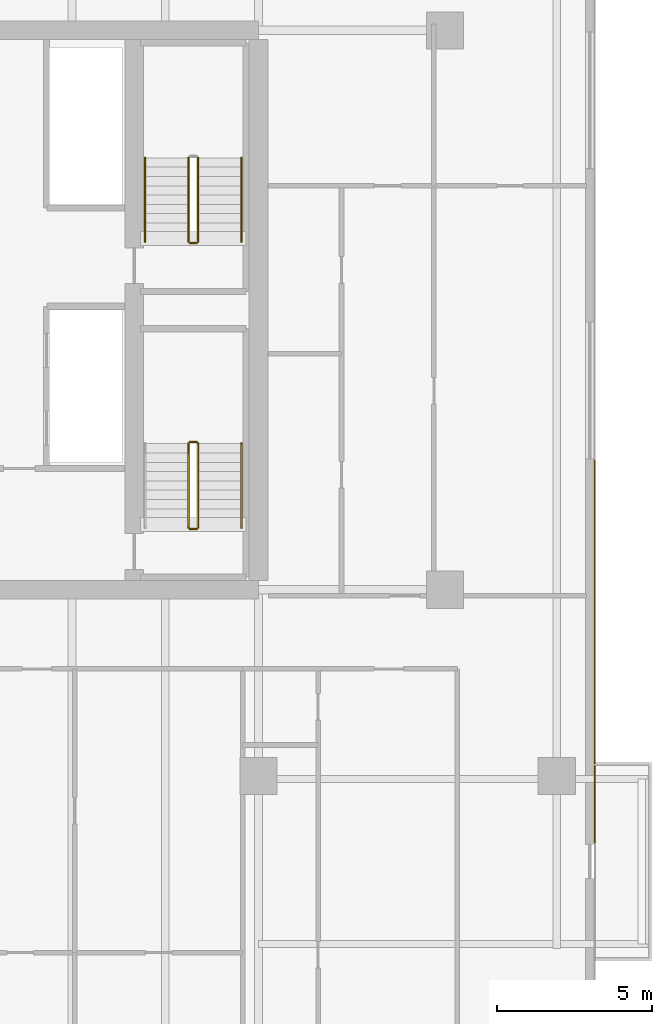
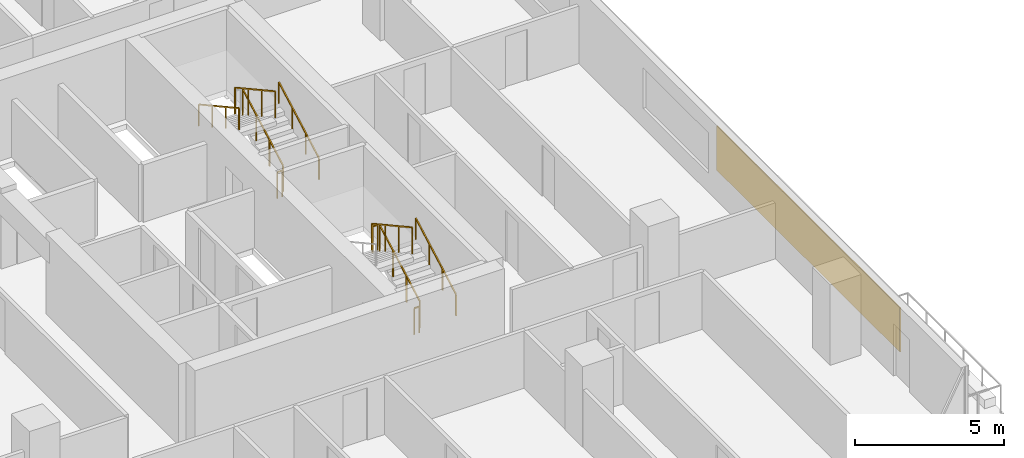
# One storey, part 31 of 33: 10 railings, 1 covering.
"""IFC4 building model written with IfcOpenShell, lengths in metres."""

from ifc_helpers import new_model, si_unit, direction, frame, origin, origin_2d, place, context, subcontext, project, spatial, rectangle, extrude, material, layer, layer_set, type_object, element, save


model = new_model("IFC4")

# Units and contexts
model_context = context("Model", 3, precision=1e-05, world=origin(), true_north=direction((0.0, 1.0)))
body_context = subcontext(model_context, "Body", "Model", "MODEL_VIEW")
ifc_project = project(units=[si_unit("LENGTHUNIT", "METRE"), si_unit("AREAUNIT", "SQUARE_METRE"), si_unit("VOLUMEUNIT", "CUBIC_METRE"), si_unit("PLANEANGLEUNIT", "RADIAN"), si_unit("MASSUNIT", "GRAM", prefix="KILO")], contexts=[model_context])

# Site, building, storey
site_placement = place(None, origin())
site = spatial("IfcSite", under=ifc_project, at=site_placement, CompositionType="ELEMENT")
building_placement = place(site_placement, origin())
building = spatial("IfcBuilding", under=site, at=building_placement, Name="Tanjung Sevakor Pilgrim Tower", CompositionType="ELEMENT")
storey_placement = place(building_placement, frame((0.0, 0.0, 38.93994140625)))
storey = spatial("IfcBuildingStorey", under=building, at=storey_placement, Name="L10", CompositionType="ELEMENT", Elevation=38.93994140625)

# Covering
ifc_material_1 = material(Name="Reconstructed Limestone Cladding", Category="masonry")
ifc_layer = layer(ifc_material_1, 0.044921875)
ifc_layer_set = layer_set([ifc_layer], Name="COV-CLAD-LIMESTONE")
covering_type = type_object("IfcCoveringType", Name="COV-CLAD-LIMESTONE", PredefinedType="CLADDING", material=ifc_layer_set)
covering_placement = place(storey_placement, frame((100.822509765625, 22.60498046875, 0.85009765625), z_axis=(0.0, 0.0, 1.0), x_axis=(0.0, 1.0, 0.0)))
element("IfcCovering", 1, at=covering_placement, inside=storey, type_object=covering_type, Name="L10 Warm Limestone Pier Panel EW-L10-MAIN-7-1", PredefinedType="CLADDING", context=body_context, shape_type="SweptSolid", body=[
    extrude(rectangle(XDim=12.31005859375, YDim=0.044921875, at=origin_2d()), origin(), (0.0, 0.0, 1.0), 1.81005859375),
])

# Railings
ifc_material_2 = material(Name="Steel S355J2", Category="steel")
railing_type_1 = type_object("IfcRailingType", Name="RL-STAIR-GUARD", PredefinedType="GUARDRAIL", material=ifc_material_2)
railing_1_placement = place(storey_placement, frame((88.050048828125, 26.60009765625, 0.1650390625)))
element("IfcRailing", 2, at=railing_1_placement, inside=storey, type_object=railing_type_1, Name="L10 TS-E1 stair guard 1", PredefinedType="GUARDRAIL", context=body_context, shape_type="SweptSolid", body=[
    extrude(rectangle(XDim=0.0479, YDim=0.0479), frame((0.0, 0.0, 1.076171875), z_axis=(0.0, 0.876197507361, 0.481952205197), x_axis=(-1.0, 0.0, 0.0)), (0.0, 0.0, 1.0), 3.08154296875),
    extrude(rectangle(XDim=0.042, YDim=0.042), origin(), (0.0, 0.0, 1.0), 1.052001953125),
    extrude(rectangle(XDim=0.042, YDim=0.042), frame((0.0, 0.89990234375, 0.4951171875)), (0.0, 0.0, 1.0), 1.052001953125),
    extrude(rectangle(XDim=0.042, YDim=0.042), frame((0.0, 1.800048828125, 0.989990234375)), (0.0, 0.0, 1.0), 1.052001953125),
    extrude(rectangle(XDim=0.042, YDim=0.042), frame((0.0, 2.699951171875, 1.485107421875)), (0.0, 0.0, 1.0), 1.052001953125),
])
railing_2_placement = place(storey_placement, frame((88.0, 29.35009765625, 1.650146484375)))
element("IfcRailing", 3, at=railing_2_placement, inside=storey, type_object=railing_type_1, Name="L10 TS-E1 stair guard 2", PredefinedType="GUARDRAIL", context=body_context, shape_type="SweptSolid", body=[
    extrude(rectangle(XDim=0.0479, YDim=0.0479), frame((0.0, 0.0, 1.076171875), z_axis=(-1.0, 0.0, 0.0), x_axis=(0.0, -1.0, 0.0)), (0.0, 0.0, 1.0), 0.199951171875),
    extrude(rectangle(XDim=0.042, YDim=0.042), origin(), (0.0, 0.0, 1.0), 1.052001953125),
    extrude(rectangle(XDim=0.042, YDim=0.042), frame((-0.199951171875, 0.0, 0.0)), (0.0, 0.0, 1.0), 1.052001953125),
])
railing_3_placement = place(storey_placement, frame((87.75, 29.300048828125, 1.81494140625)))
element("IfcRailing", 4, at=railing_3_placement, inside=storey, type_object=railing_type_1, Name="L10 TS-E1 stair guard 3", PredefinedType="GUARDRAIL", context=body_context, shape_type="SweptSolid", body=[
    extrude(rectangle(XDim=0.0479, YDim=0.0479), frame((0.0, 0.0, 1.076171875), z_axis=(0.0, -0.876197507361, 0.481952205197), x_axis=(1.0, 0.0, 0.0)), (0.0, 0.0, 1.0), 3.08154296875),
    extrude(rectangle(XDim=0.042, YDim=0.042), origin(), (0.0, 0.0, 1.0), 1.052001953125),
    extrude(rectangle(XDim=0.042, YDim=0.042), frame((0.0, -0.89990234375, 0.4951171875)), (0.0, 0.0, 1.0), 1.052001953125),
    extrude(rectangle(XDim=0.042, YDim=0.042), frame((0.0, -1.800048828125, 0.989990234375)), (0.0, 0.0, 1.0), 1.052001953125),
    extrude(rectangle(XDim=0.042, YDim=0.042), frame((0.0, -2.699951171875, 1.485107421875)), (0.0, 0.0, 1.0), 1.052001953125),
])
railing_4_placement = place(storey_placement, frame((88.0, 26.550048828125, 0.0)))
element("IfcRailing", 5, at=railing_4_placement, inside=storey, type_object=railing_type_1, Name="L10 TS-E1 stair guard 4", PredefinedType="GUARDRAIL", context=body_context, shape_type="SweptSolid", body=[
    extrude(rectangle(XDim=0.0479, YDim=0.0479), frame((0.0, 0.0, 1.076171875), z_axis=(-1.0, 0.0, 0.0), x_axis=(0.0, -1.0, 0.0)), (0.0, 0.0, 1.0), 0.199951171875),
    extrude(rectangle(XDim=0.042, YDim=0.042), origin(), (0.0, 0.0, 1.0), 1.052001953125),
    extrude(rectangle(XDim=0.042, YDim=0.042), frame((-0.199951171875, 0.0, 0.0)), (0.0, 0.0, 1.0), 1.052001953125),
])
railing_5_placement = place(storey_placement, frame((88.050048828125, 35.800048828125, 0.1650390625)))
element("IfcRailing", 6, at=railing_5_placement, inside=storey, type_object=railing_type_1, Name="L10 TS-E2 stair guard 1", PredefinedType="GUARDRAIL", context=body_context, shape_type="SweptSolid", body=[
    extrude(rectangle(XDim=0.0479, YDim=0.0479), frame((0.0, 0.0, 1.076171875), z_axis=(0.0, 0.876197507361, 0.481952205197), x_axis=(-1.0, 0.0, 0.0)), (0.0, 0.0, 1.0), 3.08154296875),
    extrude(rectangle(XDim=0.042, YDim=0.042), origin(), (0.0, 0.0, 1.0), 1.052001953125),
    extrude(rectangle(XDim=0.042, YDim=0.042), frame((0.0, 0.89990234375, 0.4951171875)), (0.0, 0.0, 1.0), 1.052001953125),
    extrude(rectangle(XDim=0.042, YDim=0.042), frame((0.0, 1.800048828125, 0.989990234375)), (0.0, 0.0, 1.0), 1.052001953125),
    extrude(rectangle(XDim=0.042, YDim=0.042), frame((0.0, 2.699951171875, 1.485107421875)), (0.0, 0.0, 1.0), 1.052001953125),
])
railing_6_placement = place(storey_placement, frame((87.75, 38.5, 1.81494140625)))
element("IfcRailing", 7, at=railing_6_placement, inside=storey, type_object=railing_type_1, Name="L10 TS-E2 stair guard 3", PredefinedType="GUARDRAIL", context=body_context, shape_type="SweptSolid", body=[
    extrude(rectangle(XDim=0.0479, YDim=0.0479), frame((0.0, 0.0, 1.076171875), z_axis=(0.0, -0.876197507361, 0.481952205197), x_axis=(1.0, 0.0, 0.0)), (0.0, 0.0, 1.0), 3.08154296875),
    extrude(rectangle(XDim=0.042, YDim=0.042), origin(), (0.0, 0.0, 1.0), 1.052001953125),
    extrude(rectangle(XDim=0.042, YDim=0.042), frame((0.0, -0.89990234375, 0.4951171875)), (0.0, 0.0, 1.0), 1.052001953125),
    extrude(rectangle(XDim=0.042, YDim=0.042), frame((0.0, -1.800048828125, 0.989990234375)), (0.0, 0.0, 1.0), 1.052001953125),
    extrude(rectangle(XDim=0.042, YDim=0.042), frame((0.0, -2.699951171875, 1.485107421875)), (0.0, 0.0, 1.0), 1.052001953125),
])
railing_7_placement = place(storey_placement, frame((88.0, 35.75, 0.0)))
element("IfcRailing", 8, at=railing_7_placement, inside=storey, type_object=railing_type_1, Name="L10 TS-E2 stair guard 4", PredefinedType="GUARDRAIL", context=body_context, shape_type="SweptSolid", body=[
    extrude(rectangle(XDim=0.0479, YDim=0.0479), frame((0.0, 0.0, 1.076171875), z_axis=(-1.0, 0.0, 0.0), x_axis=(0.0, -1.0, 0.0)), (0.0, 0.0, 1.0), 0.199951171875),
    extrude(rectangle(XDim=0.042, YDim=0.042), origin(), (0.0, 0.0, 1.0), 1.052001953125),
    extrude(rectangle(XDim=0.042, YDim=0.042), frame((-0.199951171875, 0.0, 0.0)), (0.0, 0.0, 1.0), 1.052001953125),
])
ifc_material_3 = material(Name="Steel S355J2", Category="steel")
railing_type_2 = type_object("IfcRailingType", Name="RL-STAIR-HAND", PredefinedType="HANDRAIL", material=ifc_material_3)
for number, where, name in (
    (9, (89.449951171875, 26.60009765625, 0.1650390625), "L10 TS-E1 stair handrail 1"),
    (10, (89.449951171875, 35.800048828125, 0.1650390625), "L10 TS-E2 stair handrail 1"),
):
    element("IfcRailing", number, at=place(storey_placement, frame(where)), inside=storey, type_object=railing_type_2, Name=name, PredefinedType="HANDRAIL", context=body_context, shape_type="SweptSolid", body=[
        extrude(rectangle(XDim=0.0479, YDim=0.0479), frame((0.0, 0.0, 0.8759765625), z_axis=(0.0, 0.876197507361, 0.481952205197), x_axis=(-1.0, 0.0, 0.0)), (0.0, 0.0, 1.0), 3.08154296875),
        extrude(rectangle(XDim=0.042, YDim=0.042), origin(), (0.0, 0.0, 1.0), 0.851806640625),
        extrude(rectangle(XDim=0.042, YDim=0.042), frame((0.0, 0.89990234375, 0.4951171875)), (0.0, 0.0, 1.0), 0.851806640625),
        extrude(rectangle(XDim=0.042, YDim=0.042), frame((0.0, 1.800048828125, 0.989990234375)), (0.0, 0.0, 1.0), 0.851806640625),
        extrude(rectangle(XDim=0.042, YDim=0.042), frame((0.0, 2.699951171875, 1.485107421875)), (0.0, 0.0, 1.0), 0.851806640625),
    ])
railing_8_placement = place(storey_placement, frame((86.35009765625, 38.5, 1.81494140625)))
element("IfcRailing", 11, at=railing_8_placement, inside=storey, type_object=railing_type_2, Name="L10 TS-E2 stair handrail 2", PredefinedType="HANDRAIL", context=body_context, shape_type="SweptSolid", body=[
    extrude(rectangle(XDim=0.0479, YDim=0.0479), frame((0.0, 0.0, 0.8759765625), z_axis=(0.0, -0.876197507361, 0.481952205197), x_axis=(1.0, 0.0, 0.0)), (0.0, 0.0, 1.0), 3.08154296875),
    extrude(rectangle(XDim=0.042, YDim=0.042), origin(), (0.0, 0.0, 1.0), 0.851806640625),
    extrude(rectangle(XDim=0.042, YDim=0.042), frame((0.0, -0.89990234375, 0.4951171875)), (0.0, 0.0, 1.0), 0.851806640625),
    extrude(rectangle(XDim=0.042, YDim=0.042), frame((0.0, -1.800048828125, 0.989990234375)), (0.0, 0.0, 1.0), 0.851806640625),
    extrude(rectangle(XDim=0.042, YDim=0.042), frame((0.0, -2.699951171875, 1.485107421875)), (0.0, 0.0, 1.0), 0.851806640625),
])

save(model, "model.ifc")
